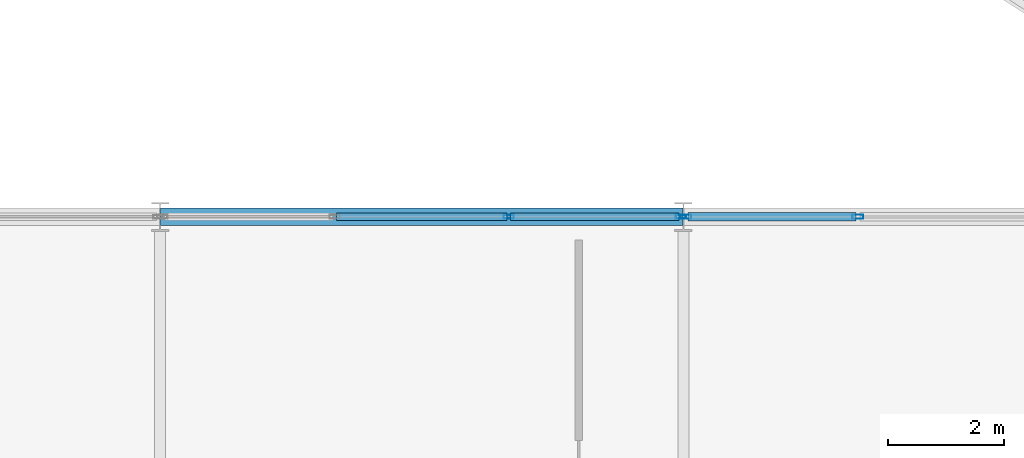
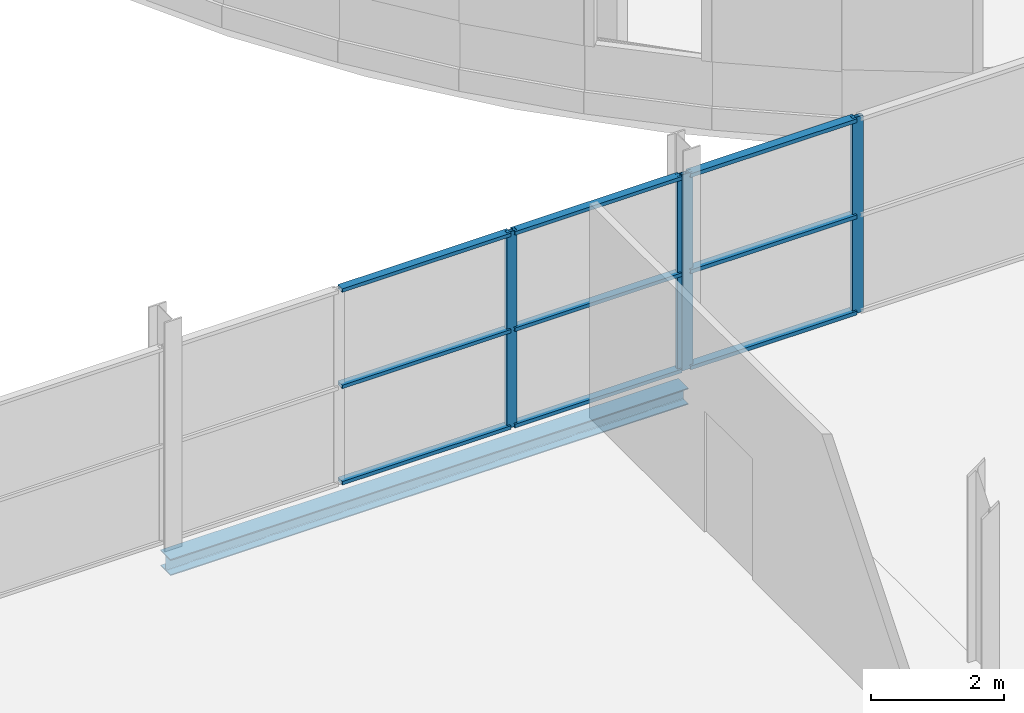
# One storey, part 67 of 132: 13 members, 1 beam, 2 elements without a shape of their own.
"""IFC4 building model written with IfcOpenShell, lengths in metres."""

from ifc_helpers import new_model, si_unit, direction, frame, origin, origin_2d, place, context, subcontext, project, spatial, hollow_rectangle, i_section, extrude, material, layer, layer_set, material_profile, profile_set, type_object, element, aggregate, save


model = new_model("IFC4")

# Units and contexts
model_context = context("Model", 3, precision=1e-05, world=origin(), true_north=direction((0.0, 1.0)))
body_context = subcontext(model_context, "Body", "Model", "MODEL_VIEW")
ifc_project = project(units=[si_unit("LENGTHUNIT", "METRE"), si_unit("AREAUNIT", "SQUARE_METRE"), si_unit("VOLUMEUNIT", "CUBIC_METRE"), si_unit("PLANEANGLEUNIT", "RADIAN"), si_unit("MASSUNIT", "GRAM", prefix="KILO")], contexts=[model_context])

# Site, building, storey
site_placement = place(None, origin())
site = spatial("IfcSite", under=ifc_project, at=site_placement, CompositionType="ELEMENT")
building_placement = place(site_placement, origin())
building = spatial("IfcBuilding", under=site, at=building_placement, Name="Deido Ridge Mobility Hub", CompositionType="ELEMENT")
storey_placement = place(building_placement, frame((0.0, 0.0, 8.39990234375)))
storey = spatial("IfcBuildingStorey", under=building, at=storey_placement, Name="L02", CompositionType="ELEMENT", Elevation=8.39990234375)

# Curtain wall, members
ifc_material_1 = material(Name="Anodised aluminium EN AW-6063 T6", Category="aluminium")
ifc_layer_1 = layer(ifc_material_1, 0.156005859375, Name="Anodised aluminium EN AW-6063 T6")
ifc_layer_set_1 = layer_set([ifc_layer_1], Name="Anodised aluminium EN AW-6063 T6")
curtain_wall_type_1 = type_object("IfcCurtainWallType", Name="CW-GS-3", PredefinedType="USERDEFINED", material=ifc_layer_set_1)
curtain_wall_1_placement = place(storey_placement, origin())
curtain_wall_1 = element("IfcCurtainWall", 1, at=curtain_wall_1_placement, inside=storey, type_object=curtain_wall_type_1, Name="Unitised curtain wall GS3", ObjectType="GLAZED SCREEN", PredefinedType="USERDEFINED")
ifc_material_profile_1 = material_profile(ifc_material_1, hollow_rectangle(XDim=0.06494140625, YDim=0.175048828125, WallThickness=0.00390625, at=origin_2d()), Name="RHS 65x175x4")
ifc_profile_set_1 = profile_set([ifc_material_profile_1], Name="Anodised aluminium EN AW-6063 T6")
member_type_1 = type_object("IfcMemberType", Name="MEM-MUL-65X175", PredefinedType="MULLION", material=ifc_profile_set_1)
member_1_placement = place(storey_placement, frame((23.99755859375, 81.0, 0.0), z_axis=(0.0, 0.0, 1.0), x_axis=(0.0, 1.0, 0.0)))
member_1 = element("IfcMember", 2, at=member_1_placement, type_object=member_type_1, Name="GS3 mullion 3", PredefinedType="MULLION", context=body_context, shape_type="SweptSolid", body=[
    extrude(hollow_rectangle(XDim=0.06494140625, YDim=0.175048828125, WallThickness=0.00390625, at=origin_2d()), origin(), (0.0, 0.0, 1.0), 3.60009765625),
])
member_2_placement = place(storey_placement, frame((26.960205078125, 81.0, 0.0), z_axis=(0.0, 0.0, 1.0), x_axis=(0.0, 1.0, 0.0)))
member_2 = element("IfcMember", 3, at=member_2_placement, type_object=member_type_1, Name="GS3 mullion 4", PredefinedType="MULLION", context=body_context, shape_type="SweptSolid", body=[
    extrude(hollow_rectangle(XDim=0.06494140625, YDim=0.175048828125, WallThickness=0.00390625, at=origin_2d()), origin(), (0.0, 0.0, 1.0), 3.60009765625),
])

ifc_layer_2 = layer(ifc_material_1, 0.16796875, Name="Anodised aluminium EN AW-6063 T6")
ifc_layer_set_2 = layer_set([ifc_layer_2], Name="Anodised aluminium EN AW-6063 T6")
curtain_wall_type_2 = type_object("IfcCurtainWallType", Name="CW-GS-4", PredefinedType="USERDEFINED", material=ifc_layer_set_2)
curtain_wall_2_placement = place(storey_placement, origin())
curtain_wall_2 = element("IfcCurtainWall", 4, at=curtain_wall_2_placement, inside=storey, type_object=curtain_wall_type_2, Name="Unitised curtain wall GS4", ObjectType="GLAZED SCREEN", PredefinedType="USERDEFINED")
ifc_material_profile_2 = material_profile(ifc_material_1, hollow_rectangle(XDim=0.070068359375, YDim=0.18994140625, WallThickness=0.00390625, at=origin_2d()), Name="RHS 70x190x4")
ifc_profile_set_2 = profile_set([ifc_material_profile_2], Name="Anodised aluminium EN AW-6063 T6")
member_type_2 = type_object("IfcMemberType", Name="MEM-MUL-70X190", PredefinedType="MULLION", material=ifc_profile_set_2)
member_3_placement = place(storey_placement, frame((27.042236328125, 81.0, 0.0), z_axis=(0.0, 0.0, 1.0), x_axis=(0.0, 1.0, 0.0)))
member_3 = element("IfcMember", 5, at=member_3_placement, type_object=member_type_2, Name="GS4 mullion 1", PredefinedType="MULLION", context=body_context, shape_type="SweptSolid", body=[
    extrude(hollow_rectangle(XDim=0.070068359375, YDim=0.18994140625, WallThickness=0.00390625, at=origin_2d()), origin(), (0.0, 0.0, 1.0), 3.60009765625),
])
member_4_placement = place(storey_placement, frame((30.00244140625, 81.0, 0.0), z_axis=(0.0, 0.0, 1.0), x_axis=(0.0, 1.0, 0.0)))
member_4 = element("IfcMember", 6, at=member_4_placement, type_object=member_type_2, Name="GS4 mullion 2", PredefinedType="MULLION", context=body_context, shape_type="SweptSolid", body=[
    extrude(hollow_rectangle(XDim=0.070068359375, YDim=0.18994140625, WallThickness=0.00390625, at=origin_2d()), origin(), (0.0, 0.0, 1.0), 3.60009765625),
])

# Member
ifc_material_profile_3 = material_profile(ifc_material_1, hollow_rectangle(XDim=0.135009765625, YDim=0.06494140625, WallThickness=0.00390625, at=origin_2d()), Name="RHS 135x65x4")
ifc_profile_set_3 = profile_set([ifc_material_profile_3], Name="Anodised aluminium EN AW-6063 T6")
member_type_3 = type_object("IfcMemberType", Name="MEM-TRN-135X65", PredefinedType="USERDEFINED", material=ifc_profile_set_3)
member_5_placement = place(storey_placement, frame((21.034912109375, 81.0, 0.03271484375), z_axis=(1.0, 0.0, 0.0), x_axis=(0.0, 1.0, 0.0)))
member_5 = element("IfcMember", 7, at=member_5_placement, type_object=member_type_3, Name="GS3 transom 2.1", ObjectType="TRANSOM", PredefinedType="USERDEFINED", context=body_context, shape_type="SweptSolid", body=[
    extrude(hollow_rectangle(XDim=0.135009765625, YDim=0.06494140625, WallThickness=0.00390625, at=origin_2d()), origin(), (0.0, 0.0, 1.0), 2.93017578125),
])

member_6_placement = place(storey_placement, frame((21.034912109375, 81.0, 1.800048828125), z_axis=(1.0, 0.0, 0.0), x_axis=(0.0, 1.0, 0.0)))
member_6 = element("IfcMember", 8, at=member_6_placement, type_object=member_type_3, Name="GS3 transom 2.2", ObjectType="TRANSOM", PredefinedType="USERDEFINED", context=body_context, shape_type="SweptSolid", body=[
    extrude(hollow_rectangle(XDim=0.135009765625, YDim=0.06494140625, WallThickness=0.00390625, at=origin_2d()), origin(), (0.0, 0.0, 1.0), 2.93017578125),
])

member_7_placement = place(storey_placement, frame((21.034912109375, 81.0, 3.567626953125), z_axis=(1.0, 0.0, 0.0), x_axis=(0.0, 1.0, 0.0)))
member_7 = element("IfcMember", 9, at=member_7_placement, type_object=member_type_3, Name="GS3 transom 2.3", ObjectType="TRANSOM", PredefinedType="USERDEFINED", context=body_context, shape_type="SweptSolid", body=[
    extrude(hollow_rectangle(XDim=0.135009765625, YDim=0.06494140625, WallThickness=0.00390625, at=origin_2d()), origin(), (0.0, 0.0, 1.0), 2.93017578125),
])

member_8_placement = place(storey_placement, frame((24.030029296875, 81.0, 0.03271484375), z_axis=(1.0, 0.0, 0.0), x_axis=(0.0, 1.0, 0.0)))
member_8 = element("IfcMember", 10, at=member_8_placement, type_object=member_type_3, Name="GS3 transom 3.1", ObjectType="TRANSOM", PredefinedType="USERDEFINED", context=body_context, shape_type="SweptSolid", body=[
    extrude(hollow_rectangle(XDim=0.135009765625, YDim=0.06494140625, WallThickness=0.00390625, at=origin_2d()), origin(), (0.0, 0.0, 1.0), 2.897705078125),
])

member_9_placement = place(storey_placement, frame((24.030029296875, 81.0, 1.800048828125), z_axis=(1.0, 0.0, 0.0), x_axis=(0.0, 1.0, 0.0)))
member_9 = element("IfcMember", 11, at=member_9_placement, type_object=member_type_3, Name="GS3 transom 3.2", ObjectType="TRANSOM", PredefinedType="USERDEFINED", context=body_context, shape_type="SweptSolid", body=[
    extrude(hollow_rectangle(XDim=0.135009765625, YDim=0.06494140625, WallThickness=0.00390625, at=origin_2d()), origin(), (0.0, 0.0, 1.0), 2.897705078125),
])

member_10_placement = place(storey_placement, frame((24.030029296875, 81.0, 3.567626953125), z_axis=(1.0, 0.0, 0.0), x_axis=(0.0, 1.0, 0.0)))
member_10 = element("IfcMember", 12, at=member_10_placement, type_object=member_type_3, Name="GS3 transom 3.3", ObjectType="TRANSOM", PredefinedType="USERDEFINED", context=body_context, shape_type="SweptSolid", body=[
    extrude(hollow_rectangle(XDim=0.135009765625, YDim=0.06494140625, WallThickness=0.00390625, at=origin_2d()), origin(), (0.0, 0.0, 1.0), 2.897705078125),
])

aggregate(curtain_wall_1, [member_1, member_2, member_5, member_6, member_7, member_8, member_9, member_10])

ifc_material_profile_4 = material_profile(ifc_material_1, hollow_rectangle(XDim=0.14501953125, YDim=0.070068359375, WallThickness=0.00390625, at=origin_2d()), Name="RHS 145x70x4")
ifc_profile_set_4 = profile_set([ifc_material_profile_4], Name="Anodised aluminium EN AW-6063 T6")
member_type_4 = type_object("IfcMemberType", Name="MEM-TRN-145X70", PredefinedType="USERDEFINED", material=ifc_profile_set_4)
member_11_placement = place(storey_placement, frame((27.0771484375, 81.0, 0.03515625), z_axis=(1.0, 0.0, 0.0), x_axis=(0.0, 1.0, 0.0)))
member_11 = element("IfcMember", 13, at=member_11_placement, type_object=member_type_4, Name="GS4 transom 1.1", ObjectType="TRANSOM", PredefinedType="USERDEFINED", context=body_context, shape_type="SweptSolid", body=[
    extrude(hollow_rectangle(XDim=0.14501953125, YDim=0.070068359375, WallThickness=0.00390625, at=origin_2d()), origin(), (0.0, 0.0, 1.0), 2.89013671875),
])

member_12_placement = place(storey_placement, frame((27.0771484375, 81.0, 1.800048828125), z_axis=(1.0, 0.0, 0.0), x_axis=(0.0, 1.0, 0.0)))
member_12 = element("IfcMember", 14, at=member_12_placement, type_object=member_type_4, Name="GS4 transom 1.2", ObjectType="TRANSOM", PredefinedType="USERDEFINED", context=body_context, shape_type="SweptSolid", body=[
    extrude(hollow_rectangle(XDim=0.14501953125, YDim=0.070068359375, WallThickness=0.00390625, at=origin_2d()), origin(), (0.0, 0.0, 1.0), 2.89013671875),
])

member_13_placement = place(storey_placement, frame((27.0771484375, 81.0, 3.565185546875), z_axis=(1.0, 0.0, 0.0), x_axis=(0.0, 1.0, 0.0)))
member_13 = element("IfcMember", 15, at=member_13_placement, type_object=member_type_4, Name="GS4 transom 1.3", ObjectType="TRANSOM", PredefinedType="USERDEFINED", context=body_context, shape_type="SweptSolid", body=[
    extrude(hollow_rectangle(XDim=0.14501953125, YDim=0.070068359375, WallThickness=0.00390625, at=origin_2d()), origin(), (0.0, 0.0, 1.0), 2.89013671875),
])

aggregate(curtain_wall_2, [member_3, member_4, member_11, member_12, member_13])

# Beam
ifc_material_2 = material(Name="Steel S355J2 EN 10025-2", Category="steel")
ifc_material_profile_5 = material_profile(ifc_material_2, i_section(OverallWidth=0.300048828125, OverallDepth=0.300048828125, WebThickness=0.010986328125, FlangeThickness=0.01904296875, FilletRadius=0.027099609375, at=origin_2d()), Name="HEB 300")
ifc_profile_set_5 = profile_set([ifc_material_profile_5], Name="Steel S355J2 EN 10025-2")
beam_type = type_object("IfcBeamType", Name="SPD-HEB300", PredefinedType="SPANDREL", material=ifc_profile_set_5)
beam_placement = place(storey_placement, frame((18.007080078125, 81.0, -0.40478515625), z_axis=(1.0, 0.0, 0.0), x_axis=(0.0, 1.0, 0.0)))
element("IfcBeam", 16, at=beam_placement, inside=storey, type_object=beam_type, Name="Floor beam SP1", PredefinedType="SPANDREL", context=body_context, shape_type="SweptSolid", body=[
    extrude(i_section(OverallWidth=0.300048828125, OverallDepth=0.300048828125, WebThickness=0.010986328125, FlangeThickness=0.01904296875, FilletRadius=0.027099609375, at=origin_2d()), origin(), (0.0, 0.0, 1.0), 8.98583984375),
])

save(model, "model.ifc")
